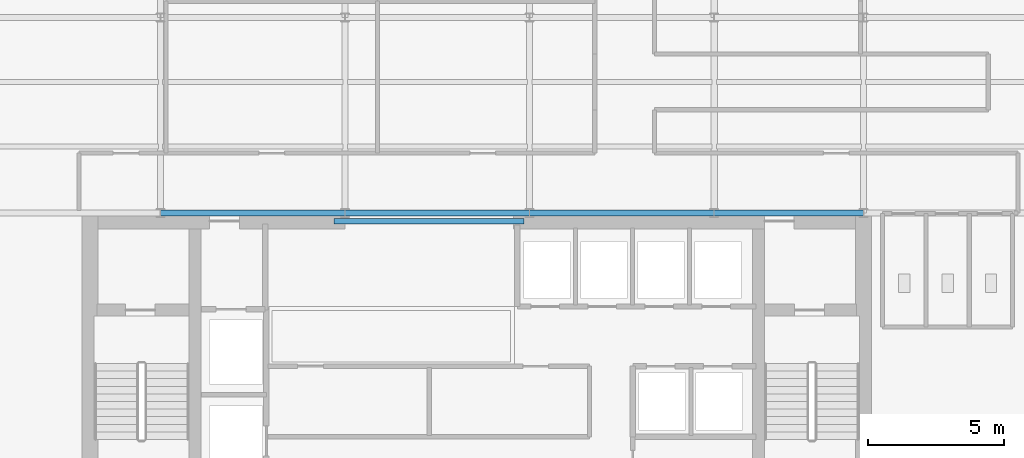
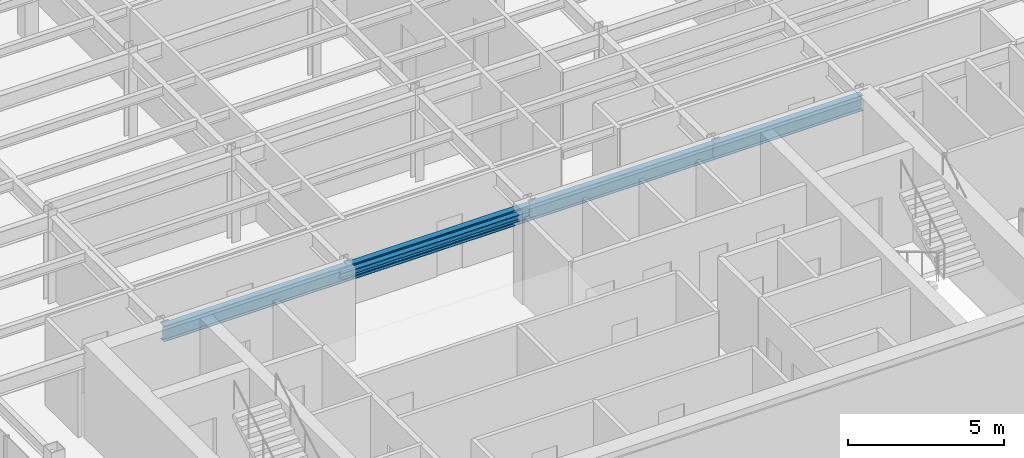
# One storey, part 4 of 22: 5 beams.
"""IFC4 building model written with IfcOpenShell, lengths in metres."""

from ifc_helpers import new_model, si_unit, derived_unit, direction, frame, origin, origin_2d, place, context, subcontext, project, spatial, i_section, extrude, source, transform, mapped, material, material_profile, profile_set, type_object, element, save


model = new_model("IFC4")

# Units and contexts
model_context = context("Model", 3, precision=1e-05, world=origin(), true_north=direction((0.0, 1.0)))
body_context = subcontext(model_context, "Body", "Model", "MODEL_VIEW")
ifc_project = project(units=[si_unit("LENGTHUNIT", "METRE"), si_unit("AREAUNIT", "SQUARE_METRE"), si_unit("VOLUMEUNIT", "CUBIC_METRE"), si_unit("PLANEANGLEUNIT", "RADIAN"), si_unit("MASSUNIT", "GRAM", prefix="KILO"), derived_unit("THERMALTRANSMITTANCEUNIT", [(si_unit("POWERUNIT", "WATT"), 1), (si_unit("LENGTHUNIT", "METRE"), -2), (si_unit("THERMODYNAMICTEMPERATUREUNIT", "KELVIN"), -1)])], contexts=[model_context])

# Site, building, storey
site_placement = place(None, origin())
site = spatial("IfcSite", under=ifc_project, at=site_placement, CompositionType="ELEMENT")
building_placement = place(site_placement, origin())
building = spatial("IfcBuilding", under=site, at=building_placement, Name="Skarnbrae Concourse Arena and Tower", CompositionType="ELEMENT")
storey_placement = place(building_placement, frame((0.0, 0.0, 217.800048828125)))
storey = spatial("IfcBuildingStorey", under=building, at=storey_placement, Name="L56", CompositionType="ELEMENT", Elevation=217.800048828125)

# Beams
ifc_material = material(Name="Steel CSA G40.21 350W", Category="steel")
ifc_material_profile_1 = material_profile(ifc_material, i_section(OverallWidth=0.202880859375, OverallDepth=0.251953125, WebThickness=0.008056640625, FlangeThickness=0.013427734375, at=origin_2d()), Name="W250X58")
ifc_profile_set_1 = profile_set([ifc_material_profile_1], Name="Steel CSA G40.21 350W")
beam_type_1 = type_object("IfcBeamType", Name="BM-LINTEL-W250X58", PredefinedType="LINTEL", material=ifc_profile_set_1)
shared_shape_1 = source(origin(), body_context, "Body", "SweptSolid", [
    extrude(i_section(OverallWidth=0.202880859375, OverallDepth=0.251953125, WebThickness=0.008056640625, FlangeThickness=0.013427734375, at=origin_2d()), origin(), (0.0, 0.0, 1.0), 7.0),
])
beam_1_placement = place(storey_placement, frame((14.0, 13.699951171875, 3.27392578125), z_axis=(1.0, 0.0, 0.0), x_axis=(0.0, 1.0, 0.0)))
element("IfcBeam", 1, at=beam_1_placement, inside=storey, type_object=beam_type_1, Name="L56 Core portal coupling lintel", PredefinedType="LINTEL", context=body_context, shape_type="MappedRepresentation", body=[
    mapped(shared_shape_1, transform((0.0, 0.0, 0.0))),
])
ifc_material_profile_2 = material_profile(ifc_material, i_section(OverallWidth=0.22802734375, OverallDepth=0.60791015625, WebThickness=0.01123046875, FlangeThickness=0.017333984375, at=origin_2d()), Name="W610X113")
ifc_profile_set_2 = profile_set([ifc_material_profile_2], Name="Steel CSA G40.21 350W")
beam_type_2 = type_object("IfcBeamType", Name="BM-GIRD-W610X113", PredefinedType="BEAM", material=ifc_profile_set_2)
shared_shape_2 = source(origin(), body_context, "Body", "SweptSolid", [
    extrude(i_section(OverallWidth=0.22802734375, OverallDepth=0.60791015625, WebThickness=0.01123046875, FlangeThickness=0.017333984375, at=origin_2d()), origin(), (0.0, 0.0, 1.0), 6.7998046875),
])
beam_2_placement = place(storey_placement, frame((7.60009765625, 14.0, 3.095947265625), z_axis=(1.0, 0.0, 0.0), x_axis=(0.0, 1.0, 0.0)))
element("IfcBeam", 2, at=beam_2_placement, inside=storey, type_object=beam_type_2, Name="L56 Primary E-W girder Y14.0-2", PredefinedType="BEAM", context=body_context, shape_type="MappedRepresentation", body=[
    mapped(shared_shape_2, transform((0.0, 0.0, 0.0))),
])
shared_shape_3 = source(origin(), body_context, "Body", "SweptSolid", [
    extrude(i_section(OverallWidth=0.22802734375, OverallDepth=0.60791015625, WebThickness=0.01123046875, FlangeThickness=0.017333984375, at=origin_2d()), origin(), (0.0, 0.0, 1.0), 6.800048828125),
])
for number, where, z_axis, x_axis, name in (
    (3, (14.39990234375, 14.0, 3.095947265625), (1.0, 0.0, 0.0), (0.0, 1.0, 0.0), "L56 Primary E-W girder Y14.0-3"),
    (4, (21.199951171875, 14.0, 3.095947265625), (1.0, 0.0, 0.0), (0.0, 1.0, 0.0), "L56 Primary E-W girder Y14.0-4"),
):
    element("IfcBeam", number, at=place(storey_placement, frame(where, z_axis=z_axis, x_axis=x_axis)), inside=storey, type_object=beam_type_2, Name=name, PredefinedType="BEAM", context=body_context, shape_type="MappedRepresentation", body=[
        mapped(shared_shape_3, transform((0.0, 0.0, 0.0))),
    ])
shared_shape_4 = source(origin(), body_context, "Body", "SweptSolid", [
    extrude(i_section(OverallWidth=0.22802734375, OverallDepth=0.60791015625, WebThickness=0.01123046875, FlangeThickness=0.017333984375, at=origin_2d()), origin(), (0.0, 0.0, 1.0), 5.5),
])
beam_3_placement = place(storey_placement, frame((28.0, 14.0, 3.095947265625), z_axis=(1.0, 0.0, 0.0), x_axis=(0.0, 1.0, 0.0)))
element("IfcBeam", 5, at=beam_3_placement, inside=storey, type_object=beam_type_2, Name="L56 Primary E-W girder Y14.0-5", PredefinedType="BEAM", context=body_context, shape_type="MappedRepresentation", body=[
    mapped(shared_shape_4, transform((0.0, 0.0, 0.0))),
])

save(model, "model.ifc")
